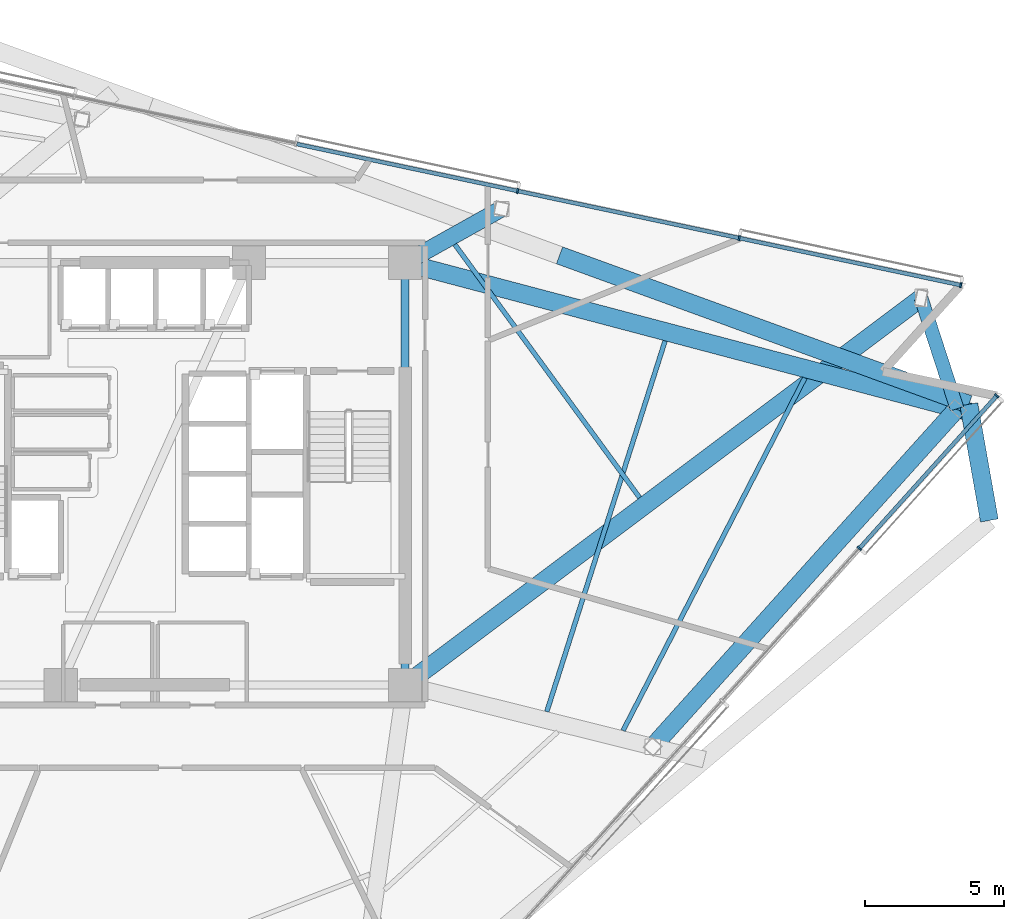
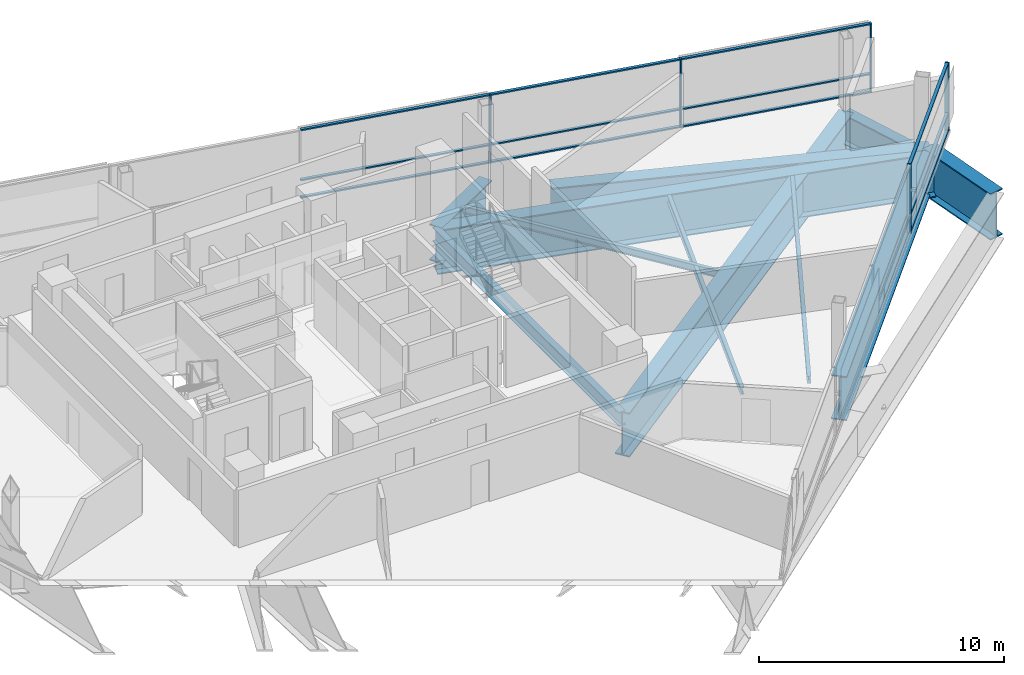
# One storey, part 8 of 17: 17 members, 11 beams, 2 elements without a shape of their own.
"""IFC4 building model written with IfcOpenShell, lengths in metres."""

from ifc_helpers import new_model, si_unit, direction, frame, origin, origin_2d, place, context, subcontext, project, spatial, rectangle, i_section, extrude, material, layer, layer_set, material_profile, profile_set, type_object, element, aggregate, save


model = new_model("IFC4")

# Units and contexts
model_context = context("Model", 3, precision=1e-05, world=origin(), true_north=direction((0.0, 1.0)))
body_context = subcontext(model_context, "Body", "Model", "MODEL_VIEW")
ifc_project = project(units=[si_unit("LENGTHUNIT", "METRE"), si_unit("AREAUNIT", "SQUARE_METRE"), si_unit("VOLUMEUNIT", "CUBIC_METRE"), si_unit("PLANEANGLEUNIT", "RADIAN"), si_unit("MASSUNIT", "GRAM", prefix="KILO")], contexts=[model_context])

# Site, building, storey
site_placement = place(None, origin())
site = spatial("IfcSite", under=ifc_project, at=site_placement, CompositionType="ELEMENT")
building_placement = place(site_placement, origin())
building = spatial("IfcBuilding", under=site, at=building_placement, Name="Tharavind Bronze Gate", CompositionType="ELEMENT")
storey_placement = place(building_placement, frame((0.0, 0.0, 196.85009765625)))
storey = spatial("IfcBuildingStorey", under=building, at=storey_placement, Name="L50", CompositionType="ELEMENT", Elevation=196.85009765625)

# Curtain wall, members
ifc_material_1 = material(Name="Anodised Bronze Aluminium", Category="aluminium")
ifc_layer = layer(ifc_material_1, 0.219970703125)
ifc_layer_set = layer_set([ifc_layer], Name="Anodised Bronze Aluminium")
curtain_wall_type = type_object("IfcCurtainWallType", Name="UNITISED CURTAIN WALL MID OFFICE", PredefinedType="USERDEFINED", material=ifc_layer_set)
curtain_wall_1_placement = place(storey_placement, origin())
curtain_wall_1 = element("IfcCurtainWall", 1, at=curtain_wall_1_placement, inside=storey, type_object=curtain_wall_type, Name="L50 unitised curtain wall mid office CW-L50-S2", ObjectType="UNITISED CURTAIN WALL", PredefinedType="USERDEFINED")
member_type_1 = type_object("IfcMemberType", Name="CURTAIN WALL BRONZE MULLION 65X180", PredefinedType="MULLION", material=ifc_material_1)
member_1_placement = place(storey_placement, frame((25.2548828125, -2.680908203125, 0.0), z_axis=(0.0, 0.0, 1.0), x_axis=(0.669130606359, 0.743144825477, 0.0)))
member_1 = element("IfcMember", 2, at=member_1_placement, type_object=member_type_1, Name="CW-L50-S2 mullion 7", PredefinedType="MULLION", context=body_context, shape_type="SweptSolid", body=[
    extrude(rectangle(XDim=0.06494140625, YDim=0.179931640625, at=origin_2d()), origin(), (0.0, 0.0, 1.0), 3.419921875),
])
member_2_placement = place(storey_placement, frame((30.199462890625, 2.810546875, 0.0), z_axis=(0.0, 0.0, 1.0), x_axis=(0.669130606359, 0.743144825477, 0.0)))
member_2 = element("IfcMember", 3, at=member_2_placement, type_object=member_type_1, Name="CW-L50-S2 mullion 8", PredefinedType="MULLION", context=body_context, shape_type="SweptSolid", body=[
    extrude(rectangle(XDim=0.06494140625, YDim=0.179931640625, at=origin_2d()), origin(), (0.0, 0.0, 1.0), 3.419921875),
])

curtain_wall_2_placement = place(storey_placement, origin())
curtain_wall_2 = element("IfcCurtainWall", 4, at=curtain_wall_2_placement, inside=storey, type_object=curtain_wall_type, Name="L50 unitised curtain wall mid office CW-L50-S3", ObjectType="UNITISED CURTAIN WALL", PredefinedType="USERDEFINED")
member_3_placement = place(storey_placement, frame((28.9052734375, 6.793701171875, 0.0), z_axis=(0.0, 0.0, 1.0), x_axis=(-0.978147600734, 0.207911690818, 0.0)))
member_3 = element("IfcMember", 5, at=member_3_placement, type_object=member_type_1, Name="CW-L50-S3 mullion 1", PredefinedType="MULLION", context=body_context, shape_type="SweptSolid", body=[
    extrude(rectangle(XDim=0.06494140625, YDim=0.179931640625, at=origin_2d()), origin(), (0.0, 0.0, 1.0), 3.419921875),
])
member_4_placement = place(storey_placement, frame((20.927734375, 8.4892578125, 0.0), z_axis=(0.0, 0.0, 1.0), x_axis=(-0.978147600734, 0.207911690818, 0.0)))
member_4 = element("IfcMember", 6, at=member_4_placement, type_object=member_type_1, Name="CW-L50-S3 mullion 2", PredefinedType="MULLION", context=body_context, shape_type="SweptSolid", body=[
    extrude(rectangle(XDim=0.06494140625, YDim=0.179931640625, at=origin_2d()), origin(), (0.0, 0.0, 1.0), 3.419921875),
])
member_5_placement = place(storey_placement, frame((12.9501953125, 10.184814453125, 0.0), z_axis=(0.0, 0.0, 1.0), x_axis=(-0.978147600734, 0.207911690818, 0.0)))
member_5 = element("IfcMember", 7, at=member_5_placement, type_object=member_type_1, Name="CW-L50-S3 mullion 3", PredefinedType="MULLION", context=body_context, shape_type="SweptSolid", body=[
    extrude(rectangle(XDim=0.06494140625, YDim=0.179931640625, at=origin_2d()), origin(), (0.0, 0.0, 1.0), 3.419921875),
])

# Member
member_type_2 = type_object("IfcMemberType", Name="CURTAIN WALL BRONZE TRANSOM 65X140", PredefinedType="USERDEFINED", material=ifc_material_1)
member_6_placement = place(storey_placement, frame((27.72705078125, 0.06494140625, 0.0), z_axis=(0.0, 0.0, 1.0), x_axis=(0.669130606359, 0.743144825477, 0.0)))
member_6 = element("IfcMember", 8, at=member_6_placement, type_object=member_type_2, Name="CW-L50-S2 transom TB7", ObjectType="TRANSOM", PredefinedType="USERDEFINED", context=body_context, shape_type="SweptSolid", body=[
    extrude(rectangle(XDim=7.33642578125, YDim=0.139892578125, at=origin_2d()), origin(), (0.0, 0.0, 1.0), 0.06494140625),
])

member_7_placement = place(storey_placement, frame((27.72705078125, 0.06494140625, 0.867431640625), z_axis=(0.0, 0.0, 1.0), x_axis=(0.669130606359, 0.743144825477, 0.0)))
member_7 = element("IfcMember", 9, at=member_7_placement, type_object=member_type_2, Name="CW-L50-S2 transom TS7", ObjectType="TRANSOM", PredefinedType="USERDEFINED", context=body_context, shape_type="SweptSolid", body=[
    extrude(rectangle(XDim=7.33642578125, YDim=0.139892578125, at=origin_2d()), origin(), (0.0, 0.0, 1.0), 0.06494140625),
])

member_8_placement = place(storey_placement, frame((27.72705078125, 0.06494140625, 3.35498046875), z_axis=(0.0, 0.0, 1.0), x_axis=(0.669130606359, 0.743144825477, 0.0)))
member_8 = element("IfcMember", 10, at=member_8_placement, type_object=member_type_2, Name="CW-L50-S2 transom TT7", ObjectType="TRANSOM", PredefinedType="USERDEFINED", context=body_context, shape_type="SweptSolid", body=[
    extrude(rectangle(XDim=7.33642578125, YDim=0.139892578125, at=origin_2d()), origin(), (0.0, 0.0, 1.0), 0.06494140625),
])

aggregate(curtain_wall_1, [member_1, member_2, member_6, member_7, member_8])

member_9_placement = place(storey_placement, frame((24.91650390625, 7.641357421875, 0.0), z_axis=(0.0, 0.0, 1.0), x_axis=(-0.978147600734, 0.207911690818, 0.0)))
member_9 = element("IfcMember", 11, at=member_9_placement, type_object=member_type_2, Name="CW-L50-S3 transom TB1", ObjectType="TRANSOM", PredefinedType="USERDEFINED", context=body_context, shape_type="SweptSolid", body=[
    extrude(rectangle(XDim=8.102783203125, YDim=0.139892578125, at=origin_2d()), origin(), (0.0, 0.0, 1.0), 0.06494140625),
])

member_10_placement = place(storey_placement, frame((24.91650390625, 7.641357421875, 0.867431640625), z_axis=(0.0, 0.0, 1.0), x_axis=(-0.978147600734, 0.207911690818, 0.0)))
member_10 = element("IfcMember", 12, at=member_10_placement, type_object=member_type_2, Name="CW-L50-S3 transom TS1", ObjectType="TRANSOM", PredefinedType="USERDEFINED", context=body_context, shape_type="SweptSolid", body=[
    extrude(rectangle(XDim=8.102783203125, YDim=0.139892578125, at=origin_2d()), origin(), (0.0, 0.0, 1.0), 0.06494140625),
])

member_11_placement = place(storey_placement, frame((24.91650390625, 7.641357421875, 3.35498046875), z_axis=(0.0, 0.0, 1.0), x_axis=(-0.978147600734, 0.207911690818, 0.0)))
member_11 = element("IfcMember", 13, at=member_11_placement, type_object=member_type_2, Name="CW-L50-S3 transom TT1", ObjectType="TRANSOM", PredefinedType="USERDEFINED", context=body_context, shape_type="SweptSolid", body=[
    extrude(rectangle(XDim=8.102783203125, YDim=0.139892578125, at=origin_2d()), origin(), (0.0, 0.0, 1.0), 0.06494140625),
])

member_12_placement = place(storey_placement, frame((16.93896484375, 9.337158203125, 0.0), z_axis=(0.0, 0.0, 1.0), x_axis=(-0.978147600734, 0.207911690818, 0.0)))
member_12 = element("IfcMember", 14, at=member_12_placement, type_object=member_type_2, Name="CW-L50-S3 transom TB2", ObjectType="TRANSOM", PredefinedType="USERDEFINED", context=body_context, shape_type="SweptSolid", body=[
    extrude(rectangle(XDim=8.102783203125, YDim=0.139892578125, at=origin_2d()), origin(), (0.0, 0.0, 1.0), 0.06494140625),
])

member_13_placement = place(storey_placement, frame((16.93896484375, 9.337158203125, 0.867431640625), z_axis=(0.0, 0.0, 1.0), x_axis=(-0.978147600734, 0.207911690818, 0.0)))
member_13 = element("IfcMember", 15, at=member_13_placement, type_object=member_type_2, Name="CW-L50-S3 transom TS2", ObjectType="TRANSOM", PredefinedType="USERDEFINED", context=body_context, shape_type="SweptSolid", body=[
    extrude(rectangle(XDim=8.102783203125, YDim=0.139892578125, at=origin_2d()), origin(), (0.0, 0.0, 1.0), 0.06494140625),
])

member_14_placement = place(storey_placement, frame((16.93896484375, 9.337158203125, 3.35498046875), z_axis=(0.0, 0.0, 1.0), x_axis=(-0.978147600734, 0.207911690818, 0.0)))
member_14 = element("IfcMember", 16, at=member_14_placement, type_object=member_type_2, Name="CW-L50-S3 transom TT2", ObjectType="TRANSOM", PredefinedType="USERDEFINED", context=body_context, shape_type="SweptSolid", body=[
    extrude(rectangle(XDim=8.102783203125, YDim=0.139892578125, at=origin_2d()), origin(), (0.0, 0.0, 1.0), 0.06494140625),
])

member_15_placement = place(storey_placement, frame((8.96142578125, 11.03271484375, 0.0), z_axis=(0.0, 0.0, 1.0), x_axis=(-0.978147600734, 0.207911690818, 0.0)))
member_15 = element("IfcMember", 17, at=member_15_placement, type_object=member_type_2, Name="CW-L50-S3 transom TB3", ObjectType="TRANSOM", PredefinedType="USERDEFINED", context=body_context, shape_type="SweptSolid", body=[
    extrude(rectangle(XDim=8.102783203125, YDim=0.139892578125, at=origin_2d()), origin(), (0.0, 0.0, 1.0), 0.06494140625),
])

member_16_placement = place(storey_placement, frame((8.96142578125, 11.03271484375, 0.867431640625), z_axis=(0.0, 0.0, 1.0), x_axis=(-0.978147600734, 0.207911690818, 0.0)))
member_16 = element("IfcMember", 18, at=member_16_placement, type_object=member_type_2, Name="CW-L50-S3 transom TS3", ObjectType="TRANSOM", PredefinedType="USERDEFINED", context=body_context, shape_type="SweptSolid", body=[
    extrude(rectangle(XDim=8.102783203125, YDim=0.139892578125, at=origin_2d()), origin(), (0.0, 0.0, 1.0), 0.06494140625),
])

member_17_placement = place(storey_placement, frame((8.96142578125, 11.03271484375, 3.35498046875), z_axis=(0.0, 0.0, 1.0), x_axis=(-0.978147600734, 0.207911690818, 0.0)))
member_17 = element("IfcMember", 19, at=member_17_placement, type_object=member_type_2, Name="CW-L50-S3 transom TT3", ObjectType="TRANSOM", PredefinedType="USERDEFINED", context=body_context, shape_type="SweptSolid", body=[
    extrude(rectangle(XDim=8.102783203125, YDim=0.139892578125, at=origin_2d()), origin(), (0.0, 0.0, 1.0), 0.06494140625),
])

aggregate(curtain_wall_2, [member_3, member_4, member_5, member_9, member_10, member_11, member_12, member_13, member_14, member_15, member_16, member_17])

# Beams
ifc_material_2 = material(Name="Steel S355", Category="steel")
ifc_material_profile_1 = material_profile(ifc_material_2, i_section(OverallWidth=0.300048828125, OverallDepth=0.699951171875, WebThickness=0.01708984375, FlangeThickness=0.031982421875, at=origin_2d()), Name="HE700B")
ifc_profile_set_1 = profile_set([ifc_material_profile_1], Name="Steel S355")
beam_type_1 = type_object("IfcBeamType", Name="RING GIRDER HE700B", PredefinedType="USERDEFINED", material=ifc_profile_set_1)
beam_1_placement = place(storey_placement, frame((8.89990234375, -7.60009765625, -0.5400390625), z_axis=(0.0, 1.0, 0.0), x_axis=(-1.0, 0.0, 0.0)))
element("IfcBeam", 20, at=beam_1_placement, inside=storey, type_object=beam_type_1, Name="L50 ring girder he700b BM-L50-CR3", ObjectType="GIRDER", PredefinedType="USERDEFINED", context=body_context, shape_type="SweptSolid", body=[
    extrude(i_section(OverallWidth=0.300048828125, OverallDepth=0.699951171875, WebThickness=0.01708984375, FlangeThickness=0.031982421875, at=origin_2d()), origin(), (0.0, 0.0, 1.0), 15.2001953125),
])
ifc_material_profile_2 = material_profile(ifc_material_2, i_section(OverallWidth=0.169921875, OverallDepth=0.360107421875, WebThickness=0.008056640625, FlangeThickness=0.0126953125, at=origin_2d()), Name="IPE360")
ifc_profile_set_2 = profile_set([ifc_material_profile_2], Name="Steel S355")
beam_type_2 = type_object("IfcBeamType", Name="SECONDARY FLOOR JOIST IPE360", PredefinedType="JOIST", material=ifc_profile_set_2)
beam_2_placement = place(storey_placement, frame((14.003173828125, -8.55908203125, -0.3701171875), z_axis=(0.30395535888, 0.952686275648, 0.0), x_axis=(-0.952686275648, 0.30395535888, 0.0)))
element("IfcBeam", 21, at=beam_2_placement, inside=storey, type_object=beam_type_2, Name="L50 secondary floor joist ipe360 BM-L50-JSTA07", PredefinedType="JOIST", context=body_context, shape_type="SweptSolid", body=[
    extrude(i_section(OverallWidth=0.169921875, OverallDepth=0.360107421875, WebThickness=0.008056640625, FlangeThickness=0.0126953125, at=origin_2d()), origin(), (0.0, 0.0, 1.0), 14.00732421875),
])
beam_3_placement = place(storey_placement, frame((16.74755859375, -9.243408203125, -0.3701171875), z_axis=(0.458171428109, 0.888863849228, 0.0), x_axis=(-0.888863849228, 0.458171428109, 0.0)))
element("IfcBeam", 22, at=beam_3_placement, inside=storey, type_object=beam_type_2, Name="L50 secondary floor joist ipe360 BM-L50-JSTB07", PredefinedType="JOIST", context=body_context, shape_type="SweptSolid", body=[
    extrude(i_section(OverallWidth=0.169921875, OverallDepth=0.360107421875, WebThickness=0.008056640625, FlangeThickness=0.0126953125, at=origin_2d()), origin(), (0.0, 0.0, 1.0), 14.286376953125),
])
beam_4_placement = place(storey_placement, frame((17.34521484375, -0.856689453125, -0.3701171875), z_axis=(-0.589557994729, 0.807726049382, 0.0), x_axis=(-0.807726049382, -0.589557994729, 0.0)))
element("IfcBeam", 23, at=beam_4_placement, inside=storey, type_object=beam_type_2, Name="L50 secondary floor joist ipe360 BM-L50-JSTA09", PredefinedType="JOIST", context=body_context, shape_type="SweptSolid", body=[
    extrude(i_section(OverallWidth=0.169921875, OverallDepth=0.360107421875, WebThickness=0.008056640625, FlangeThickness=0.0126953125, at=origin_2d()), origin(), (0.0, 0.0, 1.0), 11.281005859375),
])
ifc_material_3 = material(Name="Steel S460", Category="steel")
ifc_material_profile_3 = material_profile(ifc_material_3, i_section(OverallWidth=0.5, OverallDepth=1.5, WebThickness=0.028076171875, FlangeThickness=0.050048828125, at=origin_2d()), Name="PG1500X500")
ifc_profile_set_3 = profile_set([ifc_material_profile_3], Name="Steel S460")
beam_type_3 = type_object("IfcBeamType", Name="TRANSFER GIRDER 1500X500", PredefinedType="USERDEFINED", material=ifc_profile_set_3)
beam_5_placement = place(storey_placement, frame((28.772705078125, 2.34716796875, -0.940185546875), z_axis=(-0.309030708092, 0.951052060329, 0.0), x_axis=(-0.951052060329, -0.309030708092, 0.0)))
element("IfcBeam", 24, at=beam_5_placement, inside=storey, type_object=beam_type_3, Name="L50 transfer girder 1500x500 BM-L50-URG08", ObjectType="TRANSFER GIRDER", PredefinedType="USERDEFINED", context=body_context, shape_type="SweptSolid", body=[
    extrude(i_section(OverallWidth=0.5, OverallDepth=1.5, WebThickness=0.028076171875, FlangeThickness=0.050048828125, at=origin_2d()), origin(), (0.0, 0.0, 1.0), 4.18798828125),
])
ifc_material_profile_4 = material_profile(ifc_material_3, i_section(OverallWidth=0.60009765625, OverallDepth=1.800048828125, WebThickness=0.031982421875, FlangeThickness=0.054931640625, at=origin_2d()), Name="PG1800X600")
ifc_profile_set_4 = profile_set([ifc_material_profile_4], Name="Steel S460")
beam_type_4 = type_object("IfcBeamType", Name="TRANSFER GIRDER 1800X600", PredefinedType="USERDEFINED", material=ifc_profile_set_4)
beam_6_placement = place(storey_placement, frame((8.89990234375, 7.60009765625, -1.090087890625), z_axis=(0.872755044117, 0.488158409708, 0.0), x_axis=(-0.488158409708, 0.872755044117, 0.0)))
element("IfcBeam", 25, at=beam_6_placement, inside=storey, type_object=beam_type_4, Name="L50 transfer girder 1800x600 BM-L50-XFR10", ObjectType="TRANSFER GIRDER", PredefinedType="USERDEFINED", context=body_context, shape_type="SweptSolid", body=[
    extrude(i_section(OverallWidth=0.60009765625, OverallDepth=1.800048828125, WebThickness=0.031982421875, FlangeThickness=0.054931640625, at=origin_2d()), origin(), (0.0, 0.0, 1.0), 3.97705078125),
])
ifc_material_profile_5 = material_profile(ifc_material_3, i_section(OverallWidth=0.64990234375, OverallDepth=2.199951171875, WebThickness=0.035888671875, FlangeThickness=0.054931640625, at=origin_2d()), Name="PG2200X650")
ifc_profile_set_5 = profile_set([ifc_material_profile_5], Name="Steel S460")
beam_type_5 = type_object("IfcBeamType", Name="TRANSFER GIRDER 2200X650", PredefinedType="USERDEFINED", material=ifc_profile_set_5)
beam_7_placement = place(storey_placement, frame((17.815185546875, -9.82275390625, -1.2900390625), z_axis=(0.669119566961, 0.743154765248, 0.0), x_axis=(-0.743154765248, 0.669119566961, 0.0)))
element("IfcBeam", 26, at=beam_7_placement, inside=storey, type_object=beam_type_5, Name="L50 transfer girder 2200x650 BM-L50-URG07", ObjectType="TRANSFER GIRDER", PredefinedType="USERDEFINED", context=body_context, shape_type="SweptSolid", body=[
    extrude(i_section(OverallWidth=0.64990234375, OverallDepth=2.199951171875, WebThickness=0.035888671875, FlangeThickness=0.054931640625, at=origin_2d()), origin(), (0.0, 0.0, 1.0), 16.3759765625),
])
beam_8_placement = place(storey_placement, frame((8.89990234375, 7.60009765625, -1.2900390625), z_axis=(0.966794300006, -0.255555828492, 0.0), x_axis=(0.255555828492, 0.966794300006, 0.0)))
element("IfcBeam", 27, at=beam_8_placement, inside=storey, type_object=beam_type_5, Name="L50 transfer girder 2200x650 BM-L50-XFR08", ObjectType="TRANSFER GIRDER", PredefinedType="USERDEFINED", context=body_context, shape_type="SweptSolid", body=[
    extrude(i_section(OverallWidth=0.64990234375, OverallDepth=2.199951171875, WebThickness=0.035888671875, FlangeThickness=0.054931640625, at=origin_2d()), origin(), (0.0, 0.0, 1.0), 21.044921875),
])
beam_9_placement = place(storey_placement, frame((8.89990234375, -7.60009765625, -1.2900390625), z_axis=(0.800078215782, 0.599895698127, 0.0), x_axis=(-0.599895698127, 0.800078215782, 0.0)))
element("IfcBeam", 28, at=beam_9_placement, inside=storey, type_object=beam_type_5, Name="L50 transfer girder 2200x650 BM-L50-XFR09", ObjectType="TRANSFER GIRDER", PredefinedType="USERDEFINED", context=body_context, shape_type="SweptSolid", body=[
    extrude(i_section(OverallWidth=0.64990234375, OverallDepth=2.199951171875, WebThickness=0.035888671875, FlangeThickness=0.054931640625, at=origin_2d()), origin(), (0.0, 0.0, 1.0), 23.220947265625),
])
ifc_material_profile_6 = material_profile(ifc_material_3, i_section(OverallWidth=0.64990234375, OverallDepth=2.300048828125, WebThickness=0.035888671875, FlangeThickness=0.05810546875, at=origin_2d()), Name="PG2300X650")
ifc_profile_set_6 = profile_set([ifc_material_profile_6], Name="Steel S460")
beam_type_6 = type_object("IfcBeamType", Name="TRANSFER GIRDER 2300X650", PredefinedType="USERDEFINED", material=ifc_profile_set_6)
beam_10_placement = place(storey_placement, frame((29.933837890625, -1.6787109375, -1.340087890625), z_axis=(-0.173618127207, 0.984813051246, 0.0), x_axis=(-0.984813051246, -0.173618127207, 0.0)))
element("IfcBeam", 29, at=beam_10_placement, inside=storey, type_object=beam_type_6, Name="L50 transfer girder 2300x650 BM-L50-LRG08", ObjectType="TRANSFER GIRDER", PredefinedType="USERDEFINED", context=body_context, shape_type="SweptSolid", body=[
    extrude(i_section(OverallWidth=0.64990234375, OverallDepth=2.300048828125, WebThickness=0.035888671875, FlangeThickness=0.05810546875, at=origin_2d()), origin(), (0.0, 0.0, 1.0), 4.248046875),
])
beam_11_placement = place(storey_placement, frame((29.1962890625, 2.5048828125, -1.340087890625), z_axis=(-0.939694739877, 0.342014321115, 0.0), x_axis=(-0.342014321115, -0.939694739877, 0.0)))
element("IfcBeam", 30, at=beam_11_placement, inside=storey, type_object=beam_type_6, Name="L50 transfer girder 2300x650 BM-L50-LRG09", ObjectType="TRANSFER GIRDER", PredefinedType="USERDEFINED", context=body_context, shape_type="SweptSolid", body=[
    extrude(i_section(OverallWidth=0.64990234375, OverallDepth=2.300048828125, WebThickness=0.035888671875, FlangeThickness=0.05810546875, at=origin_2d()), origin(), (0.0, 0.0, 1.0), 15.6806640625),
])

save(model, "model.ifc")
